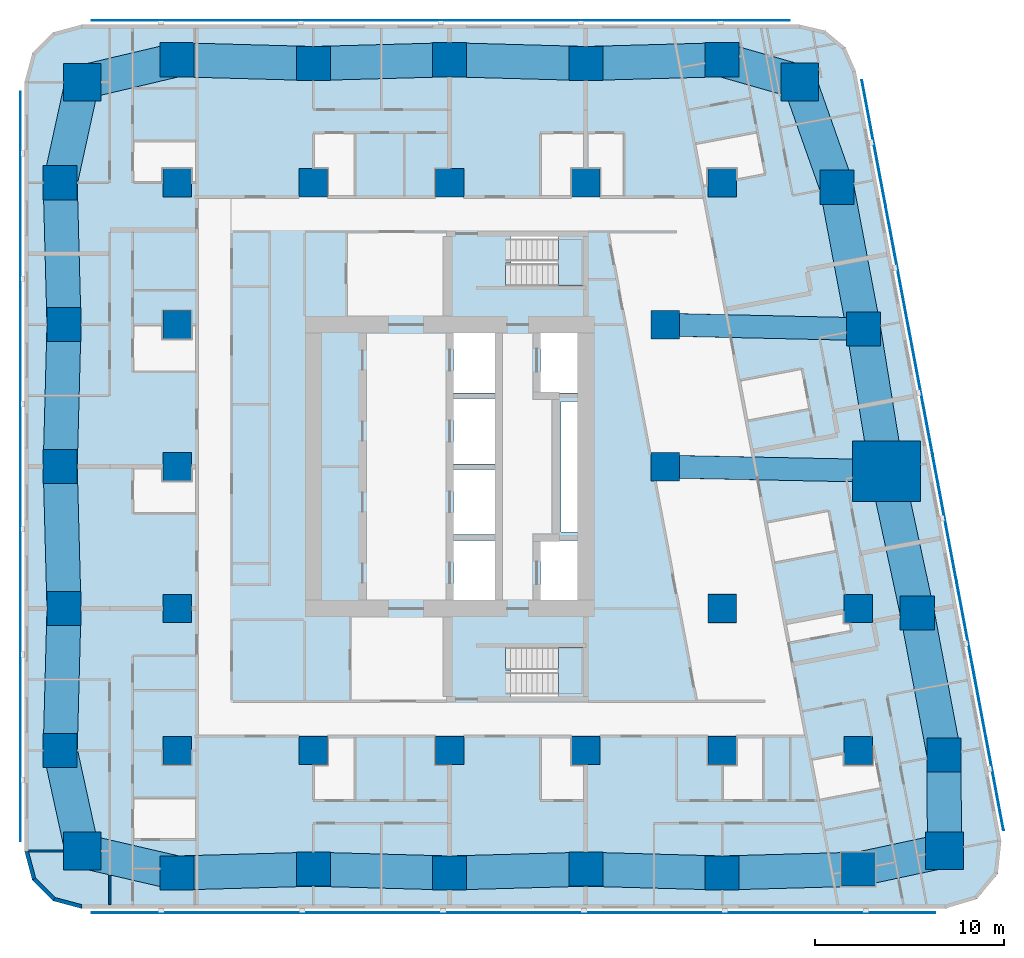
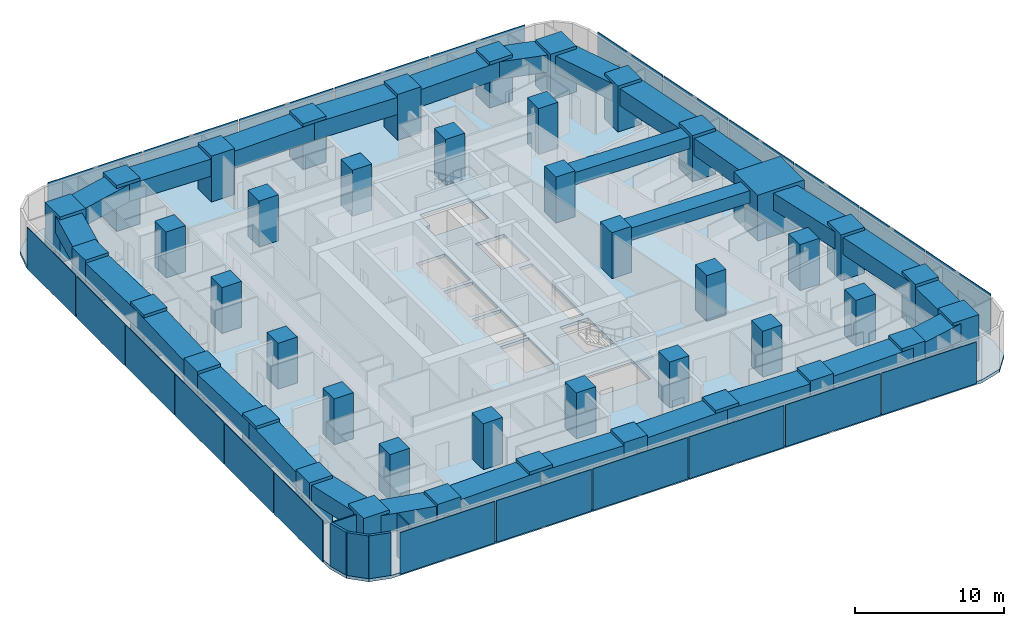
# One storey, part 1 of 15: 43 columns, 27 beams, 23 plates, 5 walls, 3 slabs, 2 elements without a shape of their own.
"""IFC4 building model written with IfcOpenShell, lengths in metres."""

import ifcopenshell
import ifcopenshell.guid

model = None  # the IFC model being written
_history = None  # IfcOwnerHistory: only IFC2X3 demands one
_inside = {}  # id of a spatial element -> (the spatial element, [elements in it])
_under = {}  # id of a project, library or spatial element -> (it, [spatial elements below it])
_declared = {}  # id of a project -> (the project, [libraries it declares])
_typed = {}  # id of a type object -> (the type object, [elements of that type])
_made_of = {}  # id of a material, layer set ... -> (it, [elements and type objects made of it])


def new_model(schema):
    """Start an empty IFC model of exactly this schema.

    Asked for "IFC4X3", IfcOpenShell would pick the latest addendum, in which some entities
    have other attributes; the version numbers below select the first issue.
    IFC2X3 requires an IfcOwnerHistory on every rooted entity: one is made here for all.
    """
    global model, _history
    if schema == "IFC4X3":
        model = ifcopenshell.file(schema_version=(4, 3, 0, 0))
    else:
        model = ifcopenshell.file(schema=schema)
    _inside.clear()
    _under.clear()
    _declared.clear()
    _typed.clear()
    _made_of.clear()
    _history = None
    if model.schema == "IFC2X3":
        org = make("IfcOrganization", Name="unknown")
        user = make(
            "IfcPersonAndOrganization",
            ThePerson=make("IfcPerson", FamilyName="unknown"),
            TheOrganization=org,
        )
        app = make(
            "IfcApplication",
            ApplicationDeveloper=org,
            Version="unknown",
            ApplicationFullName="unknown",
            ApplicationIdentifier="unknown",
        )
        _history = make(
            "IfcOwnerHistory",
            OwningUser=user,
            OwningApplication=app,
            ChangeAction="ADDED",
            CreationDate=0,
        )
    return model


def make(cls, **values):
    """One entity of the class cls with the attributes given. An attribute that is None is left unset."""
    return model.create_entity(
        cls, **{name: value for name, value in values.items() if value is not None}
    )


def rooted(cls, **values):
    """An entity with a GlobalId (a new one), such as an element, a storey or a relation."""
    return make(cls, GlobalId=ifcopenshell.guid.new(), OwnerHistory=_history, **values)


def si_unit(unit_type, name, prefix=None):
    """IfcSIUnit, for example si_unit("LENGTHUNIT", "METRE", prefix="MILLI")."""
    return make("IfcSIUnit", UnitType=unit_type, Prefix=prefix, Name=name)


def assignment(units):
    """IfcUnitAssignment: the units of a project."""
    return None if units is None else make("IfcUnitAssignment", Units=units)


def point(xyz):
    """IfcCartesianPoint."""
    return None if xyz is None else make("IfcCartesianPoint", Coordinates=xyz)


def direction(xyz):
    """IfcDirection."""
    return None if xyz is None else make("IfcDirection", DirectionRatios=xyz)


def frame(location, z_axis=None, x_axis=None):
    """IfcAxis2Placement3D, a coordinate frame: its origin and axes. An axis left out is left unset."""
    return make(
        "IfcAxis2Placement3D",
        Location=point(location),
        Axis=direction(z_axis),
        RefDirection=direction(x_axis),
    )


def frame_2d(location, x_axis=None):
    """IfcAxis2Placement2D, a coordinate frame in the plane: its origin and x axis."""
    return make(
        "IfcAxis2Placement2D", Location=point(location), RefDirection=direction(x_axis)
    )


def origin():
    """The frame at (0, 0, 0) with its axes left unset."""
    return frame((0.0, 0.0, 0.0))


def origin_2d():
    """The frame at (0, 0) in the plane with its x axis left unset."""
    return frame_2d((0.0, 0.0))


def place(relative_to, where):
    """IfcLocalPlacement: puts the frame where relative to a parent placement (None: the world)."""
    return make(
        "IfcLocalPlacement", PlacementRelTo=relative_to, RelativePlacement=where
    )


def context(
    kind, dimensions, precision=None, world=None, true_north=None, identifier=None
):
    """IfcGeometricRepresentationContext, for example the 3D "Model" context."""
    return make(
        "IfcGeometricRepresentationContext",
        ContextIdentifier=identifier,
        ContextType=kind,
        CoordinateSpaceDimension=dimensions,
        Precision=precision,
        WorldCoordinateSystem=world,
        TrueNorth=true_north,
    )


def subcontext(parent, identifier, kind, view, scale=None):
    """IfcGeometricRepresentationSubContext, for example "Body" below "Model"."""
    return make(
        "IfcGeometricRepresentationSubContext",
        ContextIdentifier=identifier,
        ContextType=kind,
        ParentContext=parent,
        TargetScale=scale,
        TargetView=view,
    )


def project(units=None, contexts=None):
    """IfcProject with its units and contexts."""
    return rooted(
        "IfcProject",
        Name="project",
        RepresentationContexts=contexts,
        UnitsInContext=assignment(units),
    )


def spatial(cls, under=None, at=None, **own):
    """A site, building, storey or space (cls), placed at a placement, below another one or the project."""
    s = rooted(cls, ObjectPlacement=at, **own)
    if under is not None:
        _under.setdefault(under.id(), (under, []))[1].append(s)
    return s


def polyline(points):
    """IfcPolyline through the points."""
    return make("IfcPolyline", Points=[point(p) for p in points])


def profile(cls, at=None, kind="AREA", **sizes):
    """A parametric profile (cls). Its sizes go by their IFC names, for example OverallWidth=200.0."""
    return make(cls, ProfileType=kind, Position=at, **sizes)


def rectangle(**sizes):
    """IfcRectangleProfileDef."""
    return profile("IfcRectangleProfileDef", **sizes)


def outline(outer, holes=None, kind="AREA"):
    """IfcArbitraryClosedProfileDef: a profile drawn as a closed curve; with holes, ...WithVoids."""
    if holes is None:
        return make("IfcArbitraryClosedProfileDef", ProfileType=kind, OuterCurve=outer)
    return make(
        "IfcArbitraryProfileDefWithVoids",
        ProfileType=kind,
        OuterCurve=outer,
        InnerCurves=holes,
    )


def extrude(swept, where, along, depth):
    """IfcExtrudedAreaSolid: the profile swept, set in the frame where, extruded along a direction by depth."""
    return make(
        "IfcExtrudedAreaSolid",
        SweptArea=swept,
        Position=where,
        ExtrudedDirection=direction(along),
        Depth=depth,
    )


def shape(context_of_items, identifier, shape_type, items):
    """IfcShapeRepresentation: the items that make up one representation, for example the "Body"."""
    return make(
        "IfcShapeRepresentation",
        ContextOfItems=context_of_items,
        RepresentationIdentifier=identifier,
        RepresentationType=shape_type,
        Items=items,
    )


def material(Name=None, Category=None):
    """IfcMaterial."""
    return make("IfcMaterial", Name=Name, Category=Category)


def layer(
    of_material, thickness, ventilated=None, Name=None, Category=None, Priority=None
):
    """IfcMaterialLayer: one layer of a wall or slab, of a material (None: an air gap)."""
    return make(
        "IfcMaterialLayer",
        Material=of_material,
        LayerThickness=thickness,
        IsVentilated=ventilated,
        Name=Name,
        Category=Category,
        Priority=Priority,
    )


def layer_set(layers, Name=None):
    """IfcMaterialLayerSet."""
    return make("IfcMaterialLayerSet", MaterialLayers=layers, LayerSetName=Name)


def material_profile(
    of_material, cross_section, Name=None, Category=None, Priority=None
):
    """IfcMaterialProfile: a cross section and its material."""
    return make(
        "IfcMaterialProfile",
        Name=Name,
        Material=of_material,
        Profile=cross_section,
        Priority=Priority,
        Category=Category,
    )


def profile_set(profiles, Name=None, composite=None):
    """IfcMaterialProfileSet."""
    return make(
        "IfcMaterialProfileSet",
        Name=Name,
        MaterialProfiles=profiles,
        CompositeProfile=composite,
    )


def made_of(thing, what):
    """Note that an element or type object is made of a material, layer set ...; save() writes the relation."""
    if what is not None:
        _made_of.setdefault(what.id(), (what, []))[1].append(thing)
    return thing


def type_object(cls, material=None, **own):
    """A type object (cls), such as IfcWallType, which elements share."""
    return made_of(rooted(cls, **own), material)


def element(
    cls,
    number,
    at=None,
    inside=None,
    cuts=None,
    type_object=None,
    material=None,
    context=None,
    identifier="Body",
    shape_type=None,
    held_by="IfcProductDefinitionShape",
    body=None,
    shapes=None,
    **own,
):
    """One element of the class cls, such as IfcWall. Its Tag is "e" and its number.

    at: its placement. inside: the storey or other place that contains it. cuts: it is an
    opening in that element (IfcRelVoidsElement). A single representation is given by context,
    identifier, shape_type and body (its items); several are given by shapes. held_by: the class
    of the entity that holds the representations. save() writes the other relations.
    """
    e = rooted(cls, Tag="e%d" % number, ObjectPlacement=at, **own)
    if body is not None:
        shapes = [shape(context, identifier, shape_type, body)]
    if shapes is not None:
        e.Representation = make(held_by, Representations=shapes)
    if inside is not None:
        _inside.setdefault(inside.id(), (inside, []))[1].append(e)
    if cuts is not None:
        rooted(
            "IfcRelVoidsElement", RelatingBuildingElement=cuts, RelatedOpeningElement=e
        )
    if type_object is not None:
        _typed.setdefault(type_object.id(), (type_object, []))[1].append(e)
    return made_of(e, material)


def aggregate(whole, parts):
    """IfcRelAggregates: a whole, such as a stair, and the parts it consists of."""
    return rooted("IfcRelAggregates", RelatingObject=whole, RelatedObjects=parts)


def save(model, path):
    """Write the relations noted so far, then the file.

    IfcRelAggregates (storeys below a building ...), IfcRelContainedInSpatialStructure (elements
    in a storey), IfcRelDefinesByType, IfcRelAssociatesMaterial and IfcRelDeclares: one each for
    every whole, place, type object, material and project.
    """
    for whole, parts in _under.values():
        aggregate(whole, parts)
    for where, things in _inside.values():
        rooted(
            "IfcRelContainedInSpatialStructure",
            RelatedElements=things,
            RelatingStructure=where,
        )
    for kind, things in _typed.values():
        rooted("IfcRelDefinesByType", RelatedObjects=things, RelatingType=kind)
    for what, things in _made_of.values():
        rooted("IfcRelAssociatesMaterial", RelatedObjects=things, RelatingMaterial=what)
    for by, libraries in _declared.values():
        rooted("IfcRelDeclares", RelatingContext=by, RelatedDefinitions=libraries)
    model.write(path)


model = new_model("IFC4")

# Units and contexts
model_context = context("Model", 3, precision=1e-05, world=origin(), true_north=direction((0.0, 1.0)))
body_context = subcontext(model_context, "Body", "Model", "MODEL_VIEW")
ifc_project = project(units=[si_unit("LENGTHUNIT", "METRE"), si_unit("AREAUNIT", "SQUARE_METRE"), si_unit("VOLUMEUNIT", "CUBIC_METRE"), si_unit("PLANEANGLEUNIT", "RADIAN"), si_unit("MASSUNIT", "GRAM", prefix="KILO")], contexts=[model_context])

# Site, building, storey
site_placement = place(None, origin())
site = spatial("IfcSite", under=ifc_project, at=site_placement, CompositionType="ELEMENT")
building_placement = place(site_placement, origin())
building = spatial("IfcBuilding", under=site, at=building_placement, Name="Sheger Commons Tower", CompositionType="ELEMENT")
storey_placement = place(building_placement, frame((0.0, 0.0, 177.050048828125)))
storey = spatial("IfcBuildingStorey", under=building, at=storey_placement, Name="L45", CompositionType="ELEMENT", Elevation=177.050048828125)

# Columns
ifc_material_1 = material(Name="Concrete C50/60", Category="concrete")
ifc_material_profile_1 = material_profile(ifc_material_1, rectangle(XDim=3.60009765625, YDim=3.199951171875, at=origin_2d()), Name="RC 3600x3200")
ifc_profile_set_1 = profile_set([ifc_material_profile_1], Name="Concrete C50/60")
column_type_1 = type_object("IfcColumnType", Name="COLUMN PIER RC 3600x3200", PredefinedType="COLUMN", material=ifc_profile_set_1)
column_placement = place(storey_placement, frame((44.697021484375, 22.262939453125, 0.0), z_axis=(0.0, 0.0, 1.0), x_axis=(1.0, 0.0, 0.0)))
element("IfcColumn", 1, at=column_placement, inside=storey, type_object=column_type_1, Name="Pier 7/D+E/D L45", PredefinedType="COLUMN", context=body_context, shape_type="SweptSolid", body=[
    extrude(rectangle(XDim=3.60009765625, YDim=3.199951171875, at=origin_2d()), origin(), (0.0, 0.0, 1.0), 3.75),
])
ifc_material_2 = material(Name="Concrete C50/60", Category="concrete")
ifc_material_profile_2 = material_profile(ifc_material_2, rectangle(XDim=1.5, YDim=1.5, at=origin_2d()), Name="RC 1500x1500")
ifc_profile_set_2 = profile_set([ifc_material_profile_2], Name="Concrete C50/60")
column_type_2 = type_object("IfcColumnType", Name="COLUMN RC 1500x1500", PredefinedType="COLUMN", material=ifc_profile_set_2)
for number, where, z_axis, x_axis, name in (
    (2, (7.199951171875, 7.5, 0.0), (0.0, 0.0, 1.0), (1.0, 0.0, 0.0), "Column 2/B L45"),
    (3, (14.39990234375, 7.5, 0.0), (0.0, 0.0, 1.0), (1.0, 0.0, 0.0), "Column 3/B L45"),
    (4, (21.60009765625, 7.5, 0.0), (0.0, 0.0, 1.0), (1.0, 0.0, 0.0), "Column 4/B L45"),
    (5, (28.800048828125, 7.5, 0.0), (0.0, 0.0, 1.0), (1.0, 0.0, 0.0), "Column 5/B L45"),
    (6, (36.0, 7.5, 0.0), (0.0, 0.0, 1.0), (1.0, 0.0, 0.0), "Column 6/B L45"),
    (7, (43.199951171875, 7.5, 0.0), (0.0, 0.0, 1.0), (1.0, 0.0, 0.0), "Column 7/B L45"),
    (8, (7.199951171875, 15.0, 0.0), (0.0, 0.0, 1.0), (1.0, 0.0, 0.0), "Column 2/C L45"),
    (9, (36.0, 15.0, 0.0), (0.0, 0.0, 1.0), (1.0, 0.0, 0.0), "Column 6/C L45"),
    (10, (43.199951171875, 15.0, 0.0), (0.0, 0.0, 1.0), (1.0, 0.0, 0.0), "Column 7/C L45"),
    (11, (7.199951171875, 22.5, 0.0), (0.0, 0.0, 1.0), (1.0, 0.0, 0.0), "Column 2/D L45"),
    (12, (33.0, 22.5, 0.0), (0.0, 0.0, 1.0), (1.0, 0.0, 0.0), "Column 6-3000/D L45"),
    (13, (7.199951171875, 30.0, 0.0), (0.0, 0.0, 1.0), (1.0, 0.0, 0.0), "Column 2/E L45"),
    (14, (33.0, 30.0, 0.0), (0.0, 0.0, 1.0), (1.0, 0.0, 0.0), "Column 6-3000/E L45"),
    (15, (7.199951171875, 37.5, 0.0), (0.0, 0.0, 1.0), (1.0, 0.0, 0.0), "Column 2/F L45"),
    (16, (14.39990234375, 37.5, 0.0), (0.0, 0.0, 1.0), (1.0, 0.0, 0.0), "Column 3/F L45"),
    (17, (21.60009765625, 37.5, 0.0), (0.0, 0.0, 1.0), (1.0, 0.0, 0.0), "Column 4/F L45"),
    (18, (28.800048828125, 37.5, 0.0), (0.0, 0.0, 1.0), (1.0, 0.0, 0.0), "Column 5/F L45"),
    (19, (36.0, 37.5, 0.0), (0.0, 0.0, 1.0), (1.0, 0.0, 0.0), "Column 6/F L45"),
):
    element("IfcColumn", number, at=place(storey_placement, frame(where, z_axis=z_axis, x_axis=x_axis)), inside=storey, type_object=column_type_2, Name=name, PredefinedType="COLUMN", context=body_context, shape_type="SweptSolid", body=[
        extrude(rectangle(XDim=1.5, YDim=1.5, at=origin_2d()), origin(), (0.0, 0.0, 1.0), 3.75),
    ])
ifc_material_3 = material(Name="Concrete C50/60", Category="concrete")
ifc_material_profile_3 = material_profile(ifc_material_3, rectangle(XDim=1.800048828125, YDim=1.800048828125, at=origin_2d()), Name="RC 1800x1800")
ifc_profile_set_3 = profile_set([ifc_material_profile_3], Name="Concrete C50/60")
column_type_3 = type_object("IfcColumnType", Name="COLUMN RC 1800x1800", PredefinedType="COLUMN", material=ifc_profile_set_3)
for number, where, z_axis, x_axis, name in (
    (20, (7.199951171875, 1.02490234375, 0.0), (0.0, 0.0, 1.0), (1.0, 0.0, 0.0), "Column 2/A L45"),
    (21, (14.39990234375, 1.22509765625, 0.0), (0.0, 0.0, 1.0), (1.0, 0.0, 0.0), "Column 3/A L45"),
    (22, (21.60009765625, 1.02490234375, 0.0), (0.0, 0.0, 1.0), (1.0, 0.0, 0.0), "Column 4/A L45"),
    (23, (28.800048828125, 1.22509765625, 0.0), (0.0, 0.0, 1.0), (1.0, 0.0, 0.0), "Column 5/A L45"),
    (24, (36.0, 1.02490234375, 0.0), (0.0, 0.0, 1.0), (1.0, 0.0, 0.0), "Column 6/A L45"),
    (25, (43.199951171875, 1.22509765625, 0.0), (0.0, 0.0, 1.0), (1.0, 0.0, 0.0), "Column 7/A L45"),
    (26, (1.02490234375, 7.5, 0.0), (0.0, 0.0, 1.0), (1.0, 0.0, 0.0), "Column 1/B L45"),
    (27, (47.72998046875, 7.262939453125, 0.0), (0.0, 0.0, 1.0), (1.0, 0.0, 0.0), "Column E/B L45"),
    (28, (1.22509765625, 15.0, 0.0), (0.0, 0.0, 1.0), (1.0, 0.0, 0.0), "Column 1/C L45"),
    (29, (46.31396484375, 14.762939453125, 0.0), (0.0, 0.0, 1.0), (1.0, 0.0, 0.0), "Column E/C L45"),
    (30, (1.02490234375, 22.5, 0.0), (0.0, 0.0, 1.0), (1.0, 0.0, 0.0), "Column 1/D L45"),
    (31, (1.22509765625, 30.0, 0.0), (0.0, 0.0, 1.0), (1.0, 0.0, 0.0), "Column 1/E L45"),
    (32, (43.47998046875, 29.762939453125, 0.0), (0.0, 0.0, 1.0), (1.0, 0.0, 0.0), "Column E/E L45"),
    (33, (1.02490234375, 37.5, 0.0), (0.0, 0.0, 1.0), (1.0, 0.0, 0.0), "Column 1/F L45"),
    (34, (42.06396484375, 37.262939453125, 0.0), (0.0, 0.0, 1.0), (1.0, 0.0, 0.0), "Column E/F L45"),
    (35, (7.199951171875, 44.0, 0.0), (0.0, 0.0, 1.0), (1.0, 0.0, 0.0), "Column 2/G L45"),
    (36, (14.39990234375, 43.800048828125, 0.0), (0.0, 0.0, 1.0), (1.0, 0.0, 0.0), "Column 3/G L45"),
    (37, (21.60009765625, 44.0, 0.0), (0.0, 0.0, 1.0), (1.0, 0.0, 0.0), "Column 4/G L45"),
    (38, (28.800048828125, 43.800048828125, 0.0), (0.0, 0.0, 1.0), (1.0, 0.0, 0.0), "Column 5/G L45"),
    (39, (36.0, 44.0, 0.0), (0.0, 0.0, 1.0), (1.0, 0.0, 0.0), "Column 6/G L45"),
):
    element("IfcColumn", number, at=place(storey_placement, frame(where, z_axis=z_axis, x_axis=x_axis)), inside=storey, type_object=column_type_3, Name=name, PredefinedType="COLUMN", context=body_context, shape_type="SweptSolid", body=[
        extrude(rectangle(XDim=1.800048828125, YDim=1.800048828125, at=origin_2d()), origin(), (0.0, 0.0, 1.0), 3.75),
    ])
ifc_material_4 = material(Name="Concrete C50/60", Category="concrete")
ifc_material_profile_4 = material_profile(ifc_material_4, rectangle(XDim=2.0, YDim=2.0, at=origin_2d()), Name="RC 2000x2000")
ifc_profile_set_4 = profile_set([ifc_material_profile_4], Name="Concrete C50/60")
column_type_4 = type_object("IfcColumnType", Name="COLUMN RC 2000x2000", PredefinedType="COLUMN", material=ifc_profile_set_4)
for number, where, z_axis, x_axis, name in (
    (40, (2.18603515625, 2.18603515625, 0.0), (0.0, 0.0, 1.0), (1.0, 0.0, 0.0), "Column 0.630,0.630 L45"),
    (41, (47.748046875, 2.197021484375, 0.0), (0.0, 0.0, 1.0), (1.0, 0.0, 0.0), "Column 49.461,0.778 L45"),
    (42, (2.18603515625, 42.81396484375, 0.0), (0.0, 0.0, 1.0), (1.0, 0.0, 0.0), "Column 0.630,44.370 L45"),
    (43, (40.10205078125, 42.830078125, 0.0), (0.0, 0.0, 1.0), (1.0, 0.0, 0.0), "Column 41.490,44.505 L45"),
):
    element("IfcColumn", number, at=place(storey_placement, frame(where, z_axis=z_axis, x_axis=x_axis)), inside=storey, type_object=column_type_4, Name=name, PredefinedType="COLUMN", context=body_context, shape_type="SweptSolid", body=[
        extrude(rectangle(XDim=2.0, YDim=2.0, at=origin_2d()), origin(), (0.0, 0.0, 1.0), 3.75),
    ])

# Beams
ifc_material_5 = material(Name="Concrete C50/60", Category="concrete")
ifc_material_profile_5 = material_profile(ifc_material_5, rectangle(XDim=1.199951171875, YDim=1.0, at=origin_2d()), Name="RC 1200x1000")
ifc_profile_set_5 = profile_set([ifc_material_profile_5], Name="Concrete C50/60")
beam_type_1 = type_object("IfcBeamType", Name="BEAM RC 1200x1000", PredefinedType="BEAM", material=ifc_profile_set_5)
beam_1_placement = place(storey_placement, frame((33.0, 22.5, 3.0), z_axis=(0.999794692776, -0.02026258368, 0.0), x_axis=(0.02026258368, 0.999794692776, 0.0)))
element("IfcBeam", 44, at=beam_1_placement, inside=storey, type_object=beam_type_1, Name="Beam 6-3000/D-7/D under L46", PredefinedType="BEAM", context=body_context, shape_type="SweptSolid", body=[
    extrude(rectangle(XDim=1.199951171875, YDim=1.0, at=origin_2d()), origin(), (0.0, 0.0, 1.0), 11.699462890625),
])
beam_2_placement = place(storey_placement, frame((33.0, 30.0, 3.0), z_axis=(0.999744258625, -0.022614538395, 0.0), x_axis=(0.022614538395, 0.999744258625, 0.0)))
element("IfcBeam", 45, at=beam_2_placement, inside=storey, type_object=beam_type_1, Name="Beam 6-3000/E-E/E under L46", PredefinedType="BEAM", context=body_context, shape_type="SweptSolid", body=[
    extrude(rectangle(XDim=1.199951171875, YDim=1.0, at=origin_2d()), origin(), (0.0, 0.0, 1.0), 10.482666015625),
])
ifc_material_6 = material(Name="Concrete C50/60", Category="concrete")
ifc_material_profile_6 = material_profile(ifc_material_6, rectangle(XDim=1.800048828125, YDim=1.39990234375, at=origin_2d()), Name="RC 1800x1400")
ifc_profile_set_6 = profile_set([ifc_material_profile_6], Name="Concrete C50/60")
beam_type_2 = type_object("IfcBeamType", Name="SPANDREL RC 1800x1400", PredefinedType="SPANDREL", material=ifc_profile_set_6)
beam_3_placement = place(storey_placement, frame((2.18603515625, 2.18603515625, 2.800048828125), z_axis=(0.974217413499, -0.225611239159, 0.0), x_axis=(0.225611239159, 0.974217413499, 0.0)))
element("IfcBeam", 46, at=beam_3_placement, inside=storey, type_object=beam_type_2, Name="Beam 0.630,0.630-2/A under L46", PredefinedType="SPANDREL", context=body_context, shape_type="SweptSolid", body=[
    extrude(rectangle(XDim=1.800048828125, YDim=1.39990234375, at=origin_2d()), origin(), (0.0, 0.0, 1.0), 5.146728515625),
])
beam_4_placement = place(storey_placement, frame((7.199951171875, 1.02490234375, 2.800048828125), z_axis=(0.9996136624, 0.027794350926, 0.0), x_axis=(-0.027794350926, 0.9996136624, 0.0)))
element("IfcBeam", 47, at=beam_4_placement, inside=storey, type_object=beam_type_2, Name="Beam 2/A-3/A under L46", PredefinedType="SPANDREL", context=body_context, shape_type="SweptSolid", body=[
    extrude(rectangle(XDim=1.800048828125, YDim=1.39990234375, at=origin_2d()), origin(), (0.0, 0.0, 1.0), 7.20263671875),
])
beam_5_placement = place(storey_placement, frame((14.39990234375, 1.22509765625, 2.800048828125), z_axis=(0.999613688584, -0.027793409217, 0.0), x_axis=(0.027793409217, 0.999613688584, 0.0)))
element("IfcBeam", 48, at=beam_5_placement, inside=storey, type_object=beam_type_2, Name="Beam 3/A-4/A under L46", PredefinedType="SPANDREL", context=body_context, shape_type="SweptSolid", body=[
    extrude(rectangle(XDim=1.800048828125, YDim=1.39990234375, at=origin_2d()), origin(), (0.0, 0.0, 1.0), 7.202880859375),
])
for number, where, z_axis, x_axis, name in (
    (49, (21.60009765625, 1.02490234375, 2.800048828125), (0.9996136624, 0.027794350926, 0.0), (-0.027794350926, 0.9996136624, 0.0), "Beam 4/A-5/A under L46"),
    (50, (28.800048828125, 1.22509765625, 2.800048828125), (0.9996136624, -0.027794350926, 0.0), (0.027794350926, 0.9996136624, 0.0), "Beam 5/A-6/A under L46"),
    (51, (36.0, 1.02490234375, 2.800048828125), (0.9996136624, 0.027794350926, 0.0), (-0.027794350926, 0.9996136624, 0.0), "Beam 6/A-7/A under L46"),
):
    element("IfcBeam", number, at=place(storey_placement, frame(where, z_axis=z_axis, x_axis=x_axis)), inside=storey, type_object=beam_type_2, Name=name, PredefinedType="SPANDREL", context=body_context, shape_type="SweptSolid", body=[
        extrude(rectangle(XDim=1.800048828125, YDim=1.39990234375, at=origin_2d()), origin(), (0.0, 0.0, 1.0), 7.20263671875),
    ])
beam_6_placement = place(storey_placement, frame((43.199951171875, 1.22509765625, 2.800048828125), z_axis=(0.977919796671, 0.208980552394, 0.0), x_axis=(-0.208980552394, 0.977919796671, 0.0)))
element("IfcBeam", 52, at=beam_6_placement, inside=storey, type_object=beam_type_2, Name="Beam 7/A-49.461,0.778 under L46", PredefinedType="SPANDREL", context=body_context, shape_type="SweptSolid", body=[
    extrude(rectangle(XDim=1.800048828125, YDim=1.39990234375, at=origin_2d()), origin(), (0.0, 0.0, 1.0), 4.65087890625),
])
beam_7_placement = place(storey_placement, frame((47.748046875, 2.197021484375, 2.800048828125), z_axis=(-0.003566242382, 0.999993640937, 0.0), x_axis=(-0.999993640937, -0.003566242382, 0.0)))
element("IfcBeam", 53, at=beam_7_placement, inside=storey, type_object=beam_type_2, Name="Beam 49.461,0.778-E/B under L46", PredefinedType="SPANDREL", context=body_context, shape_type="SweptSolid", body=[
    extrude(rectangle(XDim=1.800048828125, YDim=1.39990234375, at=origin_2d()), origin(), (0.0, 0.0, 1.0), 5.06591796875),
])
beam_8_placement = place(storey_placement, frame((47.72998046875, 7.262939453125, 2.800048828125), z_axis=(-0.18552441405, 0.982639655108, 0.0), x_axis=(-0.982639655108, -0.18552441405, 0.0)))
element("IfcBeam", 54, at=beam_8_placement, inside=storey, type_object=beam_type_2, Name="Beam E/B-E/C under L46", PredefinedType="SPANDREL", context=body_context, shape_type="SweptSolid", body=[
    extrude(rectangle(XDim=1.800048828125, YDim=1.39990234375, at=origin_2d()), origin(), (0.0, 0.0, 1.0), 7.632568359375),
])
beam_9_placement = place(storey_placement, frame((46.31396484375, 14.762939453125, 2.800048828125), z_axis=(-0.210750229323, 0.977539943348, 0.0), x_axis=(-0.977539943348, -0.210750229323, 0.0)))
element("IfcBeam", 55, at=beam_9_placement, inside=storey, type_object=beam_type_2, Name="Beam E/C-E/D under L46", PredefinedType="SPANDREL", context=body_context, shape_type="SweptSolid", body=[
    extrude(rectangle(XDim=1.800048828125, YDim=1.39990234375, at=origin_2d()), origin(), (0.0, 0.0, 1.0), 7.67236328125),
])
beam_10_placement = place(storey_placement, frame((44.697021484375, 22.262939453125, 2.800048828125), z_axis=(-0.160176929512, 0.987088319884, 0.0), x_axis=(-0.987088319884, -0.160176929512, 0.0)))
element("IfcBeam", 56, at=beam_10_placement, inside=storey, type_object=beam_type_2, Name="Beam E/D-E/E under L46", PredefinedType="SPANDREL", context=body_context, shape_type="SweptSolid", body=[
    extrude(rectangle(XDim=1.800048828125, YDim=1.39990234375, at=origin_2d()), origin(), (0.0, 0.0, 1.0), 7.59814453125),
])
beam_11_placement = place(storey_placement, frame((43.47998046875, 29.762939453125, 2.800048828125), z_axis=(-0.18552441405, 0.982639655108, 0.0), x_axis=(-0.982639655108, -0.18552441405, 0.0)))
element("IfcBeam", 57, at=beam_11_placement, inside=storey, type_object=beam_type_2, Name="Beam E/E-E/F under L46", PredefinedType="SPANDREL", context=body_context, shape_type="SweptSolid", body=[
    extrude(rectangle(XDim=1.800048828125, YDim=1.39990234375, at=origin_2d()), origin(), (0.0, 0.0, 1.0), 7.632568359375),
])
beam_12_placement = place(storey_placement, frame((42.06396484375, 37.262939453125, 2.800048828125), z_axis=(-0.332374403357, 0.943147526102, 0.0), x_axis=(-0.943147526102, -0.332374403357, 0.0)))
element("IfcBeam", 58, at=beam_12_placement, inside=storey, type_object=beam_type_2, Name="Beam E/F-41.490,44.505 under L46", PredefinedType="SPANDREL", context=body_context, shape_type="SweptSolid", body=[
    extrude(rectangle(XDim=1.800048828125, YDim=1.39990234375, at=origin_2d()), origin(), (0.0, 0.0, 1.0), 5.90283203125),
])
beam_13_placement = place(storey_placement, frame((40.10205078125, 42.830078125, 2.800048828125), z_axis=(-0.961653428129, 0.274267541221, 0.0), x_axis=(-0.274267541221, -0.961653428129, 0.0)))
element("IfcBeam", 59, at=beam_13_placement, inside=storey, type_object=beam_type_2, Name="Beam 41.490,44.505-6/G under L46", PredefinedType="SPANDREL", context=body_context, shape_type="SweptSolid", body=[
    extrude(rectangle(XDim=1.800048828125, YDim=1.39990234375, at=origin_2d()), origin(), (0.0, 0.0, 1.0), 4.265625),
])
for number, where, z_axis, x_axis, name in (
    (60, (36.0, 44.0, 2.800048828125), (-0.999614603568, -0.027760481514, 0.0), (0.027760481514, -0.999614603568, 0.0), "Beam 6/G-5/G under L46"),
    (61, (28.800048828125, 43.800048828125, 2.800048828125), (-0.999614603568, 0.027760481514, 0.0), (-0.027760481514, -0.999614603568, 0.0), "Beam 5/G-4/G under L46"),
):
    element("IfcBeam", number, at=place(storey_placement, frame(where, z_axis=z_axis, x_axis=x_axis)), inside=storey, type_object=beam_type_2, Name=name, PredefinedType="SPANDREL", context=body_context, shape_type="SweptSolid", body=[
        extrude(rectangle(XDim=1.800048828125, YDim=1.39990234375, at=origin_2d()), origin(), (0.0, 0.0, 1.0), 7.20263671875),
    ])
beam_14_placement = place(storey_placement, frame((21.60009765625, 44.0, 2.800048828125), z_axis=(-0.999614629688, -0.027759540951, 0.0), x_axis=(0.027759540951, -0.999614629688, 0.0)))
element("IfcBeam", 62, at=beam_14_placement, inside=storey, type_object=beam_type_2, Name="Beam 4/G-3/G under L46", PredefinedType="SPANDREL", context=body_context, shape_type="SweptSolid", body=[
    extrude(rectangle(XDim=1.800048828125, YDim=1.39990234375, at=origin_2d()), origin(), (0.0, 0.0, 1.0), 7.202880859375),
])
beam_15_placement = place(storey_placement, frame((14.39990234375, 43.800048828125, 2.800048828125), z_axis=(-0.999614603568, 0.027760481514, 0.0), x_axis=(-0.027760481514, -0.999614603568, 0.0)))
element("IfcBeam", 63, at=beam_15_placement, inside=storey, type_object=beam_type_2, Name="Beam 3/G-2/G under L46", PredefinedType="SPANDREL", context=body_context, shape_type="SweptSolid", body=[
    extrude(rectangle(XDim=1.800048828125, YDim=1.39990234375, at=origin_2d()), origin(), (0.0, 0.0, 1.0), 7.20263671875),
])
beam_16_placement = place(storey_placement, frame((7.199951171875, 44.0, 2.800048828125), z_axis=(-0.97314428949, -0.230195985701, 0.0), x_axis=(0.230195985701, -0.97314428949, 0.0)))
element("IfcBeam", 64, at=beam_16_placement, inside=storey, type_object=beam_type_2, Name="Beam 2/G-0.630,44.370 under L46", PredefinedType="SPANDREL", context=body_context, shape_type="SweptSolid", body=[
    extrude(rectangle(XDim=1.800048828125, YDim=1.39990234375, at=origin_2d()), origin(), (0.0, 0.0, 1.0), 5.15234375),
])
beam_17_placement = place(storey_placement, frame((2.18603515625, 42.81396484375, 2.800048828125), z_axis=(-0.213469314652, -0.976949769283, 0.0), x_axis=(0.976949769283, -0.213469314652, 0.0)))
element("IfcBeam", 65, at=beam_17_placement, inside=storey, type_object=beam_type_2, Name="Beam 0.630,44.370-1/F under L46", PredefinedType="SPANDREL", context=body_context, shape_type="SweptSolid", body=[
    extrude(rectangle(XDim=1.800048828125, YDim=1.39990234375, at=origin_2d()), origin(), (0.0, 0.0, 1.0), 5.439453125),
])
for number, where, z_axis, x_axis, name in (
    (66, (1.02490234375, 37.5, 2.800048828125), (0.026683204125, -0.999643939919, 0.0), (0.999643939919, 0.026683204125, 0.0), "Beam 1/F-1/E under L46"),
    (67, (1.22509765625, 30.0, 2.800048828125), (-0.026683204125, -0.999643939919, 0.0), (0.999643939919, -0.026683204125, 0.0), "Beam 1/E-1/D under L46"),
    (68, (1.02490234375, 22.5, 2.800048828125), (0.026683204125, -0.999643939919, 0.0), (0.999643939919, 0.026683204125, 0.0), "Beam 1/D-1/C under L46"),
    (69, (1.22509765625, 15.0, 2.800048828125), (-0.026683204125, -0.999643939919, 0.0), (0.999643939919, -0.026683204125, 0.0), "Beam 1/C-1/B under L46"),
):
    element("IfcBeam", number, at=place(storey_placement, frame(where, z_axis=z_axis, x_axis=x_axis)), inside=storey, type_object=beam_type_2, Name=name, PredefinedType="SPANDREL", context=body_context, shape_type="SweptSolid", body=[
        extrude(rectangle(XDim=1.800048828125, YDim=1.39990234375, at=origin_2d()), origin(), (0.0, 0.0, 1.0), 7.502685546875),
    ])
beam_18_placement = place(storey_placement, frame((1.02490234375, 7.5, 2.800048828125), z_axis=(0.213469314652, -0.976949769283, 0.0), x_axis=(0.976949769283, 0.213469314652, 0.0)))
element("IfcBeam", 70, at=beam_18_placement, inside=storey, type_object=beam_type_2, Name="Beam 1/B-0.630,0.630 under L46", PredefinedType="SPANDREL", context=body_context, shape_type="SweptSolid", body=[
    extrude(rectangle(XDim=1.800048828125, YDim=1.39990234375, at=origin_2d()), origin(), (0.0, 0.0, 1.0), 5.439453125),
])

# Slab
ifc_material_7 = material(Name="Concrete C35/45", Category="concrete")
ifc_layer_1 = layer(ifc_material_7, 0.25)
ifc_layer_set_1 = layer_set([ifc_layer_1], Name="SLAB FLOOR 250")
slab_type_1 = type_object("IfcSlabType", Name="SLAB FLOOR 250", PredefinedType="FLOOR", material=ifc_layer_set_1)
slab_1_placement = place(storey_placement, frame((0.0, 0.0, -0.25)))
element("IfcSlab", 71, at=slab_1_placement, inside=storey, type_object=slab_type_1, Name="L45 floor slab", PredefinedType="FLOOR", context=body_context, shape_type="SweptSolid", body=[
    extrude(outline(polyline([(-0.85009765625, 2.14990234375), (-0.447998046875, 0.64990234375), (0.64990234375, -0.447998046875), (2.14990234375, -0.85009765625), (47.805908203125, -0.85009765625), (49.465087890625, -0.35009765625), (50.570068359375, 0.98388671875), (50.75390625, 2.70703125), (43.06591796875, 43.406982421875), (42.509033203125, 44.660888671875), (41.452880859375, 45.535888671875), (40.117919921875, 45.85009765625), (2.14990234375, 45.85009765625), (0.64990234375, 45.447998046875), (-0.447998046875, 44.35009765625), (-0.85009765625, 42.85009765625), (-0.85009765625, 2.14990234375)]), holes=[polyline([(24.85009765625, 10.35009765625), (28.64990234375, 10.35009765625), (28.64990234375, 12.949951171875), (24.551025390625, 12.949951171875), (24.551025390625, 11.75), (24.85009765625, 11.75), (24.85009765625, 10.35009765625)]), polyline([(24.551025390625, 32.050048828125), (28.64990234375, 32.050048828125), (28.64990234375, 34.64990234375), (24.85009765625, 34.64990234375), (24.85009765625, 33.25), (24.551025390625, 33.25), (24.551025390625, 32.050048828125)]), polyline([(26.39990234375, 15.14990234375), (28.60009765625, 15.14990234375), (28.60009765625, 18.60009765625), (26.39990234375, 18.60009765625), (26.39990234375, 15.14990234375)]), polyline([(26.39990234375, 26.39990234375), (28.60009765625, 26.39990234375), (28.60009765625, 29.85009765625), (26.39990234375, 29.85009765625), (26.39990234375, 26.39990234375)]), polyline([(21.800048828125, 15.14990234375), (24.0, 15.14990234375), (24.0, 18.60009765625), (21.800048828125, 18.60009765625), (21.800048828125, 15.14990234375)]), polyline([(21.800048828125, 18.89990234375), (24.0, 18.89990234375), (24.0, 22.35009765625), (21.800048828125, 22.35009765625), (21.800048828125, 18.89990234375)]), polyline([(21.800048828125, 22.64990234375), (24.0, 22.64990234375), (24.0, 26.10009765625), (21.800048828125, 26.10009765625), (21.800048828125, 22.64990234375)]), polyline([(21.800048828125, 26.39990234375), (24.0, 26.39990234375), (24.0, 29.85009765625), (21.800048828125, 29.85009765625), (21.800048828125, 26.39990234375)]), polyline([(27.5, 19.050048828125), (28.5, 19.050048828125), (28.5, 25.949951171875), (27.5, 25.949951171875), (27.5, 19.050048828125)])]), origin(), (0.0, 0.0, 1.0), 0.25),
])

# Plates
ifc_material_8 = material(Name="Perforated black anodised aluminium screen", Category="aluminium")
ifc_layer_2 = layer(ifc_material_8, 0.050048828125)
ifc_layer_set_2 = layer_set([ifc_layer_2], Name="SOLAR SCREEN SCREEN-1")
plate_type = type_object("IfcPlateType", Name="SOLAR SCREEN SCREEN-1", PredefinedType="USERDEFINED", material=ifc_layer_set_2)
for number, where, z_axis, x_axis, name in (
    (72, (6.37109375, -1.074951171875, 0.050048828125), (0.0, 0.0, 1.0), (1.0, 0.0, 0.0), "Perforated solar screen panel"),
    (73, (13.81396484375, -1.074951171875, 0.050048828125), (0.0, 0.0, 1.0), (1.0, 0.0, 0.0), "Perforated solar screen panel"),
    (74, (21.257080078125, -1.074951171875, 0.050048828125), (0.0, 0.0, 1.0), (1.0, 0.0, 0.0), "Perforated solar screen panel"),
    (75, (28.698974609375, -1.074951171875, 0.050048828125), (0.0, 0.0, 1.0), (1.0, 0.0, 0.0), "Perforated solar screen panel"),
    (76, (36.14208984375, -1.074951171875, 0.050048828125), (0.0, 0.0, 1.0), (1.0, 0.0, 0.0), "Perforated solar screen panel"),
    (77, (43.5849609375, -1.074951171875, 0.050048828125), (0.0, 0.0, 1.0), (1.0, 0.0, 0.0), "Perforated solar screen panel"),
):
    element("IfcPlate", number, at=place(storey_placement, frame(where, z_axis=z_axis, x_axis=x_axis)), inside=storey, type_object=plate_type, Name=name, ObjectType="SCREEN", PredefinedType="USERDEFINED", context=body_context, shape_type="SweptSolid", body=[
        extrude(rectangle(XDim=7.343017578125, YDim=0.050048828125, at=origin_2d()), origin(), (0.0, 0.0, 1.0), 3.39990234375),
    ])
for number, where, z_axis, x_axis, name in (
    (78, (50.257080078125, 6.550048828125, 0.050048828125), (0.0, 0.0, 1.0), (-0.185615165645, 0.982622516678, 0.0), "Perforated solar screen panel"),
    (79, (49.007080078125, 13.1689453125, 0.050048828125), (0.0, 0.0, 1.0), (-0.185615165645, 0.982622516678, 0.0), "Perforated solar screen panel"),
    (80, (47.756103515625, 19.7890625, 0.050048828125), (0.0, 0.0, 1.0), (-0.185615165645, 0.982622516678, 0.0), "Perforated solar screen panel"),
    (81, (46.506103515625, 26.408935546875, 0.050048828125), (0.0, 0.0, 1.0), (-0.185615165645, 0.982622516678, 0.0), "Perforated solar screen panel"),
    (82, (45.2548828125, 33.028076171875, 0.050048828125), (0.0, 0.0, 1.0), (-0.185615165645, 0.982622516678, 0.0), "Perforated solar screen panel"),
    (83, (44.0048828125, 39.64794921875, 0.050048828125), (0.0, 0.0, 1.0), (-0.185615165645, 0.982622516678, 0.0), "Perforated solar screen panel"),
):
    element("IfcPlate", number, at=place(storey_placement, frame(where, z_axis=z_axis, x_axis=x_axis)), inside=storey, type_object=plate_type, Name=name, ObjectType="SCREEN", PredefinedType="USERDEFINED", context=body_context, shape_type="SweptSolid", body=[
        extrude(rectangle(XDim=6.636962890625, YDim=0.050048828125, at=origin_2d()), origin(), (0.0, 0.0, 1.0), 3.39990234375),
    ])
for number, where, z_axis, x_axis, name in (
    (84, (35.9208984375, 46.074951171875, 0.050048828125), (0.0, 0.0, 1.0), (-1.0, 0.0, 0.0), "Perforated solar screen panel"),
    (85, (28.528076171875, 46.074951171875, 0.050048828125), (0.0, 0.0, 1.0), (-1.0, 0.0, 0.0), "Perforated solar screen panel"),
    (86, (21.134033203125, 46.074951171875, 0.050048828125), (0.0, 0.0, 1.0), (-1.0, 0.0, 0.0), "Perforated solar screen panel"),
    (87, (13.739990234375, 46.074951171875, 0.050048828125), (0.0, 0.0, 1.0), (-1.0, 0.0, 0.0), "Perforated solar screen panel"),
    (88, (6.346923828125, 46.074951171875, 0.050048828125), (0.0, 0.0, 1.0), (-1.0, 0.0, 0.0), "Perforated solar screen panel"),
):
    element("IfcPlate", number, at=place(storey_placement, frame(where, z_axis=z_axis, x_axis=x_axis)), inside=storey, type_object=plate_type, Name=name, ObjectType="SCREEN", PredefinedType="USERDEFINED", context=body_context, shape_type="SweptSolid", body=[
        extrude(rectangle(XDim=7.2939453125, YDim=0.050048828125, at=origin_2d()), origin(), (0.0, 0.0, 1.0), 3.39990234375),
    ])
for number, where, z_axis, x_axis, name in (
    (89, (-1.074951171875, 39.0419921875, 0.050048828125), (0.0, 0.0, 1.0), (0.0, -1.0, 0.0), "Perforated solar screen panel"),
    (90, (-1.074951171875, 32.425048828125, 0.050048828125), (0.0, 0.0, 1.0), (0.0, -1.0, 0.0), "Perforated solar screen panel"),
    (91, (-1.074951171875, 25.80810546875, 0.050048828125), (0.0, 0.0, 1.0), (0.0, -1.0, 0.0), "Perforated solar screen panel"),
    (92, (-1.074951171875, 19.19189453125, 0.050048828125), (0.0, 0.0, 1.0), (0.0, -1.0, 0.0), "Perforated solar screen panel"),
    (93, (-1.074951171875, 12.574951171875, 0.050048828125), (0.0, 0.0, 1.0), (0.0, -1.0, 0.0), "Perforated solar screen panel"),
    (94, (-1.074951171875, 5.9580078125, 0.050048828125), (0.0, 0.0, 1.0), (0.0, -1.0, 0.0), "Perforated solar screen panel"),
):
    element("IfcPlate", number, at=place(storey_placement, frame(where, z_axis=z_axis, x_axis=x_axis)), inside=storey, type_object=plate_type, Name=name, ObjectType="SCREEN", PredefinedType="USERDEFINED", context=body_context, shape_type="SweptSolid", body=[
        extrude(rectangle(XDim=6.51708984375, YDim=0.050048828125, at=origin_2d()), origin(), (0.0, 0.0, 1.0), 3.39990234375),
    ])

# Stair, slab
ifc_material_9 = material(Name="Concrete C35/45", Category="concrete")
stair_type = type_object("IfcStairType", Name="HALF-TURN STAIR 1200 RISE 3750", PredefinedType="HALF_TURN_STAIR", material=ifc_material_9)
stair_1_placement = place(storey_placement, origin())
stair_1 = element("IfcStair", 95, at=stair_1_placement, inside=storey, type_object=stair_type, Name="Stair S1 L45", PredefinedType="HALF_TURN_STAIR")
ifc_material_10 = material(Name="Concrete C35/45", Category="concrete")
ifc_layer_3 = layer(ifc_material_10, 0.199951171875)
ifc_layer_set_3 = layer_set([ifc_layer_3], Name="STAIR LANDING 200")
slab_type_2 = type_object("IfcSlabType", Name="STAIR LANDING 200", PredefinedType="LANDING", material=ifc_layer_set_3)
slab_2_placement = place(storey_placement, frame((0.0, 0.0, 1.675048828125)))
slab_2 = element("IfcSlab", 96, at=slab_2_placement, type_object=slab_type_2, Name="S1 landing 1", PredefinedType="LANDING", context=body_context, shape_type="SweptSolid", body=[
    extrude(outline(polyline([(27.35009765625, 10.199951171875), (28.800048828125, 10.199951171875), (28.800048828125, 12.949951171875), (27.35009765625, 12.949951171875), (27.35009765625, 10.199951171875)])), origin(), (0.0, 0.0, 1.0), 0.199951171875),
])
aggregate(stair_1, [slab_2])

stair_2_placement = place(storey_placement, origin())
stair_2 = element("IfcStair", 97, at=stair_2_placement, inside=storey, type_object=stair_type, Name="Stair S2 L45", PredefinedType="HALF_TURN_STAIR")
slab_3_placement = place(storey_placement, frame((0.0, 0.0, 1.675048828125)))
slab_3 = element("IfcSlab", 98, at=slab_3_placement, type_object=slab_type_2, Name="S2 landing 1", PredefinedType="LANDING", context=body_context, shape_type="SweptSolid", body=[
    extrude(outline(polyline([(27.35009765625, 32.050048828125), (28.800048828125, 32.050048828125), (28.800048828125, 34.800048828125), (27.35009765625, 34.800048828125), (27.35009765625, 32.050048828125)])), origin(), (0.0, 0.0, 1.0), 0.199951171875),
])
aggregate(stair_2, [slab_3])

# Walls
ifc_material_11 = material(Name="Rendered concrete block masonry, dark grey", Category="masonry")
ifc_layer_4 = layer(ifc_material_11, 0.199951171875)
ifc_layer_set_4 = layer_set([ifc_layer_4], Name="FACADE WALL 200")
wall_type_1 = type_object("IfcWallType", Name="FACADE WALL 200", PredefinedType="SOLIDWALL", material=ifc_layer_set_4)
wall_1_placement = place(storey_placement, frame((-0.75, 2.1630859375, 0.0), z_axis=(0.0, 0.0, 1.0), x_axis=(0.259168954497, -0.965832000415, 0.0)))
element("IfcWall", 99, at=wall_1_placement, inside=storey, type_object=wall_type_1, Name="Facade wall L45", PredefinedType="SOLIDWALL", context=body_context, shape_type="SweptSolid", body=[
    extrude(rectangle(XDim=1.512939453125, YDim=0.199951171875, at=frame_2d((0.75634765625, 0.0))), origin(), (0.0, 0.0, 1.0), 3.5),
])
wall_2_placement = place(storey_placement, frame((-0.35791015625, 0.701904296875, 0.0), z_axis=(0.0, 0.0, 1.0), x_axis=(0.707106781187, -0.707106781187, 0.0)))
element("IfcWall", 100, at=wall_2_placement, inside=storey, type_object=wall_type_1, Name="Facade wall L45", PredefinedType="SOLIDWALL", context=body_context, shape_type="SweptSolid", body=[
    extrude(rectangle(XDim=1.498779296875, YDim=0.199951171875, at=frame_2d((0.74951171875, 0.0))), origin(), (0.0, 0.0, 1.0), 3.5),
])
wall_3_placement = place(storey_placement, frame((0.701904296875, -0.35791015625, 0.0), z_axis=(0.0, 0.0, 1.0), x_axis=(0.965832000415, -0.259168954497, 0.0)))
element("IfcWall", 101, at=wall_3_placement, inside=storey, type_object=wall_type_1, Name="Facade wall L45", PredefinedType="SOLIDWALL", context=body_context, shape_type="SweptSolid", body=[
    extrude(rectangle(XDim=1.512939453125, YDim=0.199951171875, at=frame_2d((0.75634765625, 0.0))), origin(), (0.0, 0.0, 1.0), 3.5),
])
ifc_material_12 = material(Name="Gypsum board on steel studs", Category="steel")
ifc_layer_5 = layer(ifc_material_12, 0.10009765625)
ifc_layer_set_5 = layer_set([ifc_layer_5], Name="PARTITION 100")
wall_type_2 = type_object("IfcWallType", Name="PARTITION 100", PredefinedType="PARTITIONING", material=ifc_layer_set_5)
wall_4_placement = place(storey_placement, frame((3.64990234375, -0.64990234375, 0.0), z_axis=(0.0, 0.0, 1.0), x_axis=(0.0, 1.0, 0.0)))
element("IfcWall", 102, at=wall_4_placement, inside=storey, type_object=wall_type_2, Name="Partition L45", PredefinedType="PARTITIONING", context=body_context, shape_type="SweptSolid", body=[
    extrude(rectangle(XDim=1.56201171875, YDim=0.10009765625, at=frame_2d((0.781005859375, 0.0))), origin(), (0.0, 0.0, 1.0), 3.5),
])
wall_5_placement = place(storey_placement, frame((-0.64990234375, 2.18603515625, 0.0), z_axis=(0.0, 0.0, 1.0), x_axis=(1.0, 0.0, 0.0)))
element("IfcWall", 103, at=wall_5_placement, inside=storey, type_object=wall_type_2, Name="Partition L45", PredefinedType="PARTITIONING", context=body_context, shape_type="SweptSolid", body=[
    extrude(rectangle(XDim=1.8349609375, YDim=0.10009765625, at=frame_2d((0.91748046875, 0.0))), origin(), (0.0, 0.0, 1.0), 3.5),
])

save(model, "model.ifc")
